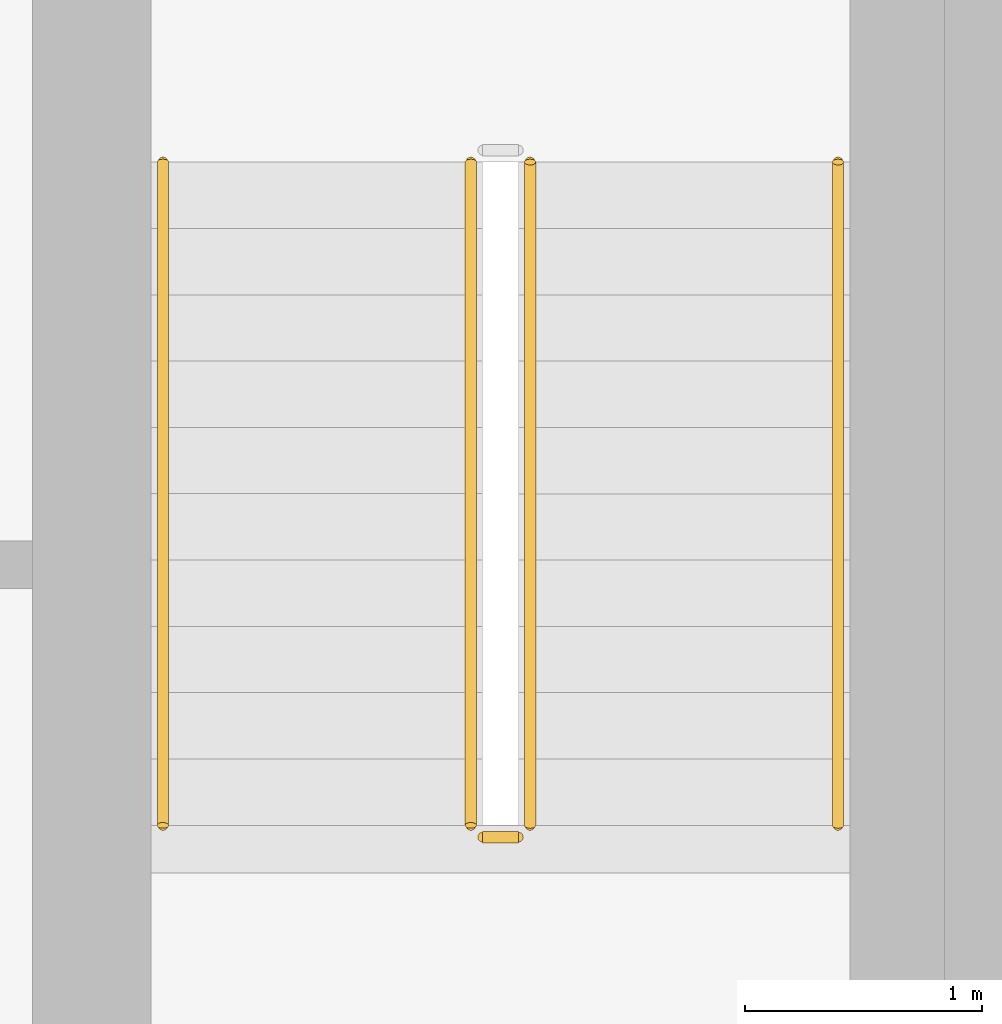
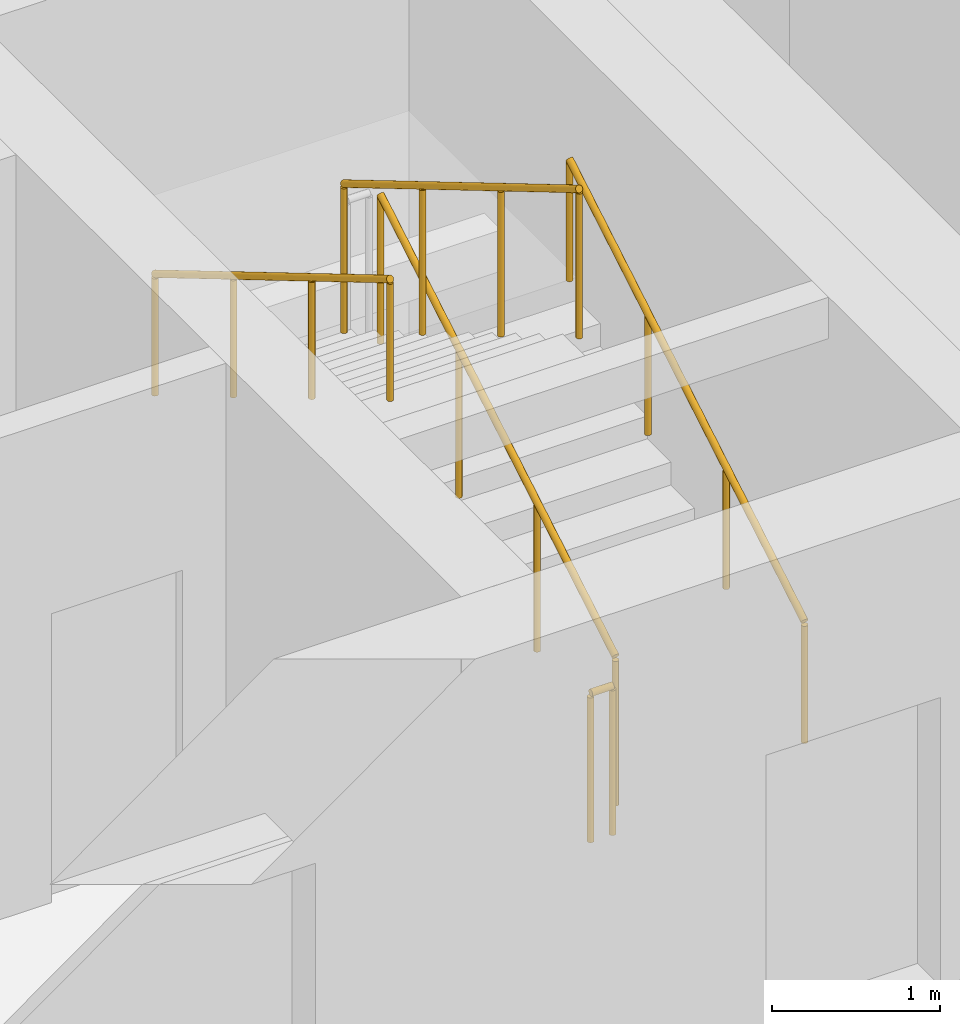
# One storey, part 13 of 15: 5 railings.
"""IFC4 building model written with IfcOpenShell, lengths in metres."""

from ifc_helpers import new_model, si_unit, direction, frame, origin, origin_2d, place, context, subcontext, project, spatial, circle, extrude, material, type_object, element, save


model = new_model("IFC4")

# Units and contexts
model_context = context("Model", 3, precision=1e-05, world=origin(), true_north=direction((0.0, 1.0)))
body_context = subcontext(model_context, "Body", "Model", "MODEL_VIEW")
ifc_project = project(units=[si_unit("LENGTHUNIT", "METRE"), si_unit("AREAUNIT", "SQUARE_METRE"), si_unit("VOLUMEUNIT", "CUBIC_METRE"), si_unit("PLANEANGLEUNIT", "RADIAN"), si_unit("MASSUNIT", "GRAM", prefix="KILO")], contexts=[model_context])

# Site, building, storey
site_placement = place(None, origin())
site = spatial("IfcSite", under=ifc_project, at=site_placement, CompositionType="ELEMENT")
building_placement = place(site_placement, origin())
building = spatial("IfcBuilding", under=site, at=building_placement, Name="Isthmus Gate Tower", CompositionType="ELEMENT")
storey_placement = place(building_placement, frame((0.0, 0.0, 241.85009765625)))
storey = spatial("IfcBuildingStorey", under=building, at=storey_placement, Name="L61", CompositionType="ELEMENT", Elevation=241.85009765625)

# Railings
ifc_material_1 = material(Name="Stainless steel balustrade", Category="steel")
railing_type_1 = type_object("IfcRailingType", Name="STAIR GUARD 1100", PredefinedType="GUARDRAIL", material=ifc_material_1)
railing_1_placement = place(storey_placement, frame((12.64990234375, 2.39990234375, 0.165771484375)))
element("IfcRailing", 1, at=railing_1_placement, inside=storey, type_object=railing_type_1, Name="L61 ST8 stair guard 1", PredefinedType="GUARDRAIL", context=body_context, shape_type="SweptSolid", body=[
    extrude(circle(Radius=0.02392578125, at=origin_2d()), frame((0.0, 0.0, 1.076171875), z_axis=(0.0, 0.860306154799, 0.50977771628), x_axis=(-1.0, 0.0, 0.0)), (0.0, 0.0, 1.0), 3.254638671875),
    extrude(circle(Radius=0.02099609375, at=origin_2d()), origin(), (0.0, 0.0, 1.0), 1.052001953125),
    extrude(circle(Radius=0.02099609375, at=origin_2d()), frame((0.0, 0.933349609375, 0.552978515625)), (0.0, 0.0, 1.0), 1.052001953125),
    extrude(circle(Radius=0.02099609375, at=origin_2d()), frame((0.0, 1.86669921875, 1.106201171875)), (0.0, 0.0, 1.0), 1.052001953125),
    extrude(circle(Radius=0.02099609375, at=origin_2d()), frame((0.0, 2.800048828125, 1.6591796875)), (0.0, 0.0, 1.0), 1.052001953125),
])
railing_2_placement = place(storey_placement, frame((12.39990234375, 5.199951171875, 1.99072265625)))
element("IfcRailing", 2, at=railing_2_placement, inside=storey, type_object=railing_type_1, Name="L61 ST8 stair guard 3", PredefinedType="GUARDRAIL", context=body_context, shape_type="SweptSolid", body=[
    extrude(circle(Radius=0.02392578125, at=origin_2d()), frame((0.0, 0.0, 1.076171875), z_axis=(0.0, -0.860306154799, 0.50977771628), x_axis=(1.0, 0.0, 0.0)), (0.0, 0.0, 1.0), 3.254638671875),
    extrude(circle(Radius=0.02099609375, at=origin_2d()), origin(), (0.0, 0.0, 1.0), 1.052001953125),
    extrude(circle(Radius=0.02099609375, at=origin_2d()), frame((0.0, -0.933349609375, 0.552978515625)), (0.0, 0.0, 1.0), 1.052001953125),
    extrude(circle(Radius=0.02099609375, at=origin_2d()), frame((0.0, -1.86669921875, 1.106201171875)), (0.0, 0.0, 1.0), 1.052001953125),
    extrude(circle(Radius=0.02099609375, at=origin_2d()), frame((0.0, -2.800048828125, 1.6591796875)), (0.0, 0.0, 1.0), 1.052001953125),
])
railing_3_placement = place(storey_placement, frame((12.60009765625, 2.35009765625, 0.0)))
element("IfcRailing", 3, at=railing_3_placement, inside=storey, type_object=railing_type_1, Name="L61 ST8 stair guard 4", PredefinedType="GUARDRAIL", context=body_context, shape_type="SweptSolid", body=[
    extrude(circle(Radius=0.02392578125, at=origin_2d()), frame((0.0, 0.0, 1.076171875), z_axis=(-1.0, 0.0, 0.0), x_axis=(0.0, -1.0, 0.0)), (0.0, 0.0, 1.0), 0.150146484375),
    extrude(circle(Radius=0.02099609375, at=origin_2d()), origin(), (0.0, 0.0, 1.0), 1.052001953125),
    extrude(circle(Radius=0.02099609375, at=origin_2d()), frame((-0.150146484375, 0.0, 0.0)), (0.0, 0.0, 1.0), 1.052001953125),
])
ifc_material_2 = material(Name="Stainless steel handrail", Category="steel")
railing_type_2 = type_object("IfcRailingType", Name="STAIR HANDRAIL 900", PredefinedType="HANDRAIL", material=ifc_material_2)
railing_4_placement = place(storey_placement, frame((13.949951171875, 2.39990234375, 0.165771484375)))
element("IfcRailing", 4, at=railing_4_placement, inside=storey, type_object=railing_type_2, Name="L61 ST8 stair handrail 1", PredefinedType="HANDRAIL", context=body_context, shape_type="SweptSolid", body=[
    extrude(circle(Radius=0.02392578125, at=origin_2d()), frame((0.0, 0.0, 0.8759765625), z_axis=(0.0, 0.860306154799, 0.50977771628), x_axis=(-1.0, 0.0, 0.0)), (0.0, 0.0, 1.0), 3.254638671875),
    extrude(circle(Radius=0.02099609375, at=origin_2d()), origin(), (0.0, 0.0, 1.0), 0.851806640625),
    extrude(circle(Radius=0.02099609375, at=origin_2d()), frame((0.0, 0.933349609375, 0.552978515625)), (0.0, 0.0, 1.0), 0.851806640625),
    extrude(circle(Radius=0.02099609375, at=origin_2d()), frame((0.0, 1.86669921875, 1.106201171875)), (0.0, 0.0, 1.0), 0.851806640625),
    extrude(circle(Radius=0.02099609375, at=origin_2d()), frame((0.0, 2.800048828125, 1.6591796875)), (0.0, 0.0, 1.0), 0.851806640625),
])
railing_5_placement = place(storey_placement, frame((11.10009765625, 5.199951171875, 1.99072265625)))
element("IfcRailing", 5, at=railing_5_placement, inside=storey, type_object=railing_type_2, Name="L61 ST8 stair handrail 2", PredefinedType="HANDRAIL", context=body_context, shape_type="SweptSolid", body=[
    extrude(circle(Radius=0.02392578125, at=origin_2d()), frame((0.0, 0.0, 0.8759765625), z_axis=(0.0, -0.860306154799, 0.50977771628), x_axis=(1.0, 0.0, 0.0)), (0.0, 0.0, 1.0), 3.254638671875),
    extrude(circle(Radius=0.02099609375, at=origin_2d()), origin(), (0.0, 0.0, 1.0), 0.851806640625),
    extrude(circle(Radius=0.02099609375, at=origin_2d()), frame((0.0, -0.933349609375, 0.552978515625)), (0.0, 0.0, 1.0), 0.851806640625),
    extrude(circle(Radius=0.02099609375, at=origin_2d()), frame((0.0, -1.86669921875, 1.106201171875)), (0.0, 0.0, 1.0), 0.851806640625),
    extrude(circle(Radius=0.02099609375, at=origin_2d()), frame((0.0, -2.800048828125, 1.6591796875)), (0.0, 0.0, 1.0), 0.851806640625),
])

save(model, "model.ifc")
